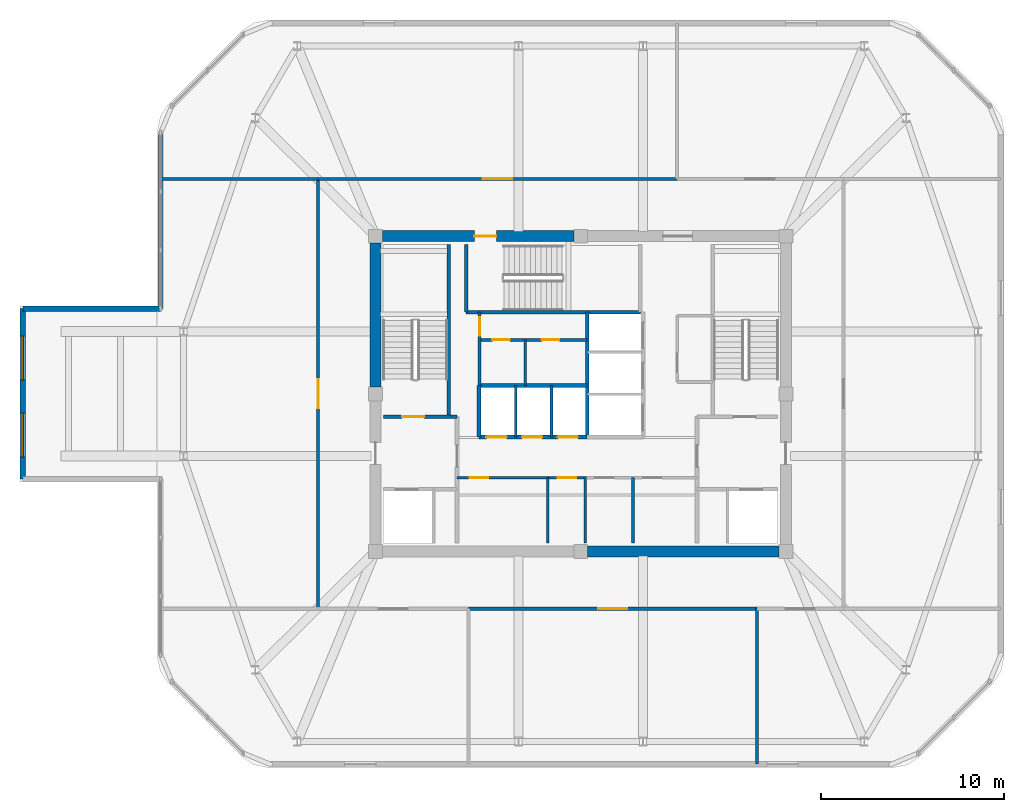
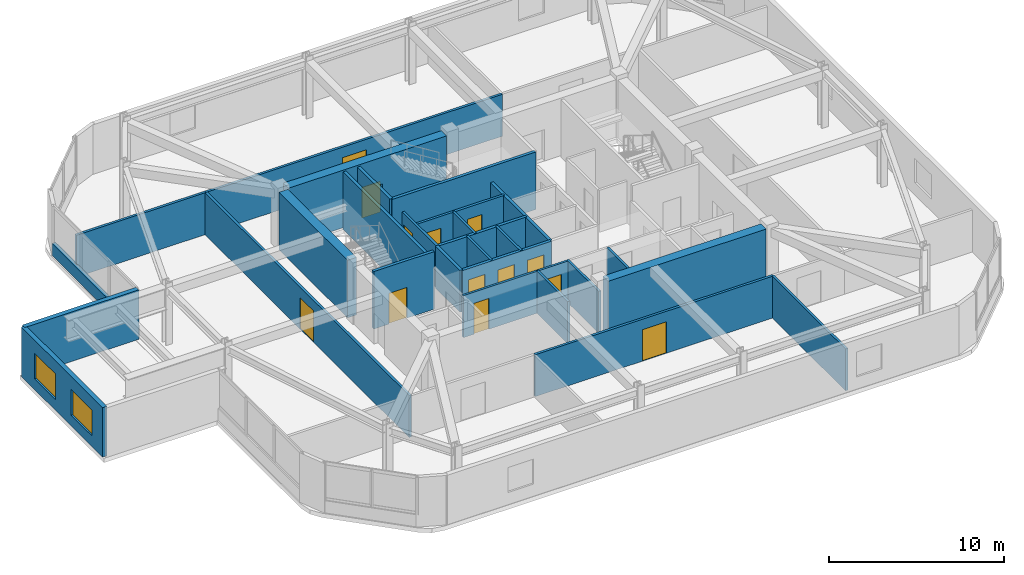
# One storey, part 6 of 9: 28 walls, 13 doors, 2 windows, 15 openings.
"""IFC4 building model written with IfcOpenShell, lengths in metres."""

from ifc_helpers import new_model, si_unit, derived_unit, direction, frame, frame_2d, origin, place, context, subcontext, project, spatial, rectangle, extrude, material, layer, layer_set, type_object, element, fill, save


model = new_model("IFC4")

# Units and contexts
model_context = context("Model", 3, precision=1e-05, world=origin(), true_north=direction((0.0, 1.0)))
body_context = subcontext(model_context, "Body", "Model", "MODEL_VIEW")
ifc_project = project(units=[si_unit("LENGTHUNIT", "METRE"), si_unit("AREAUNIT", "SQUARE_METRE"), si_unit("VOLUMEUNIT", "CUBIC_METRE"), si_unit("PLANEANGLEUNIT", "RADIAN"), si_unit("MASSUNIT", "GRAM", prefix="KILO"), derived_unit("THERMALTRANSMITTANCEUNIT", [(si_unit("POWERUNIT", "WATT"), 1), (si_unit("LENGTHUNIT", "METRE"), -2), (si_unit("THERMODYNAMICTEMPERATUREUNIT", "KELVIN"), -1)])], contexts=[model_context])

# Site, building, storey
site_placement = place(None, origin())
site = spatial("IfcSite", under=ifc_project, at=site_placement, CompositionType="ELEMENT")
building_placement = place(site_placement, origin())
building = spatial("IfcBuilding", under=site, at=building_placement, Name="Koralith Skygarden Medical Center", CompositionType="ELEMENT")
storey_placement = place(building_placement, frame((0.0, 0.0, 290.340087890625)))
storey = spatial("IfcBuildingStorey", under=building, at=storey_placement, Name="L75", CompositionType="ELEMENT", Elevation=290.340087890625)

# Wall, openings, doors
ifc_material_1 = material(Name="Gypsum Board Partition")
ifc_layer_1 = layer(ifc_material_1, 0.14990234375)
ifc_layer_set_1 = layer_set([ifc_layer_1], Name="Gypsum Board Partition")
wall_type_1 = type_object("IfcWallType", Name="Clinical Acoustic Partition 150", PredefinedType="PARTITIONING", material=ifc_layer_set_1)
wall_1_placement = place(storey_placement, frame((30.25, 21.320068359375, 0.0), z_axis=(0.0, 0.0, 1.0), x_axis=(1.0, 0.0, 0.0)))
wall_1 = element("IfcWall", 1, at=wall_1_placement, inside=storey, type_object=wall_type_1, Name="L75 Clinical Acoustic Partition 150 W-CORE-L75-FREED-LR-N", PredefinedType="PARTITIONING", context=body_context, shape_type="SweptSolid", body=[
    extrude(rectangle(XDim=7.0, YDim=0.14990234375, at=frame_2d((3.5, 0.0))), origin(), (0.0, 0.0, 1.0), 2.929931640625),
])
opening_1_placement = place(wall_1_placement, frame((0.699951171875, 0.0, 0.0)))
opening_1 = element("IfcOpeningElement", 2, at=opening_1_placement, cuts=wall_1, Name="Opening D-SUP", PredefinedType="OPENING", context=body_context, shape_type="SweptSolid", body=[
    extrude(rectangle(XDim=1.0, YDim=2.14990234375, at=frame_2d((0.5, 1.074951171875))), frame((0.0, 0.0849609375, 0.0), z_axis=(0.0, -1.0, 0.0), x_axis=(1.0, 0.0, 0.0)), (0.0, 0.0, 1.0), 0.169921875),
])
opening_2_placement = place(wall_1_placement, frame((5.5, 0.0, 0.0)))
opening_2 = element("IfcOpeningElement", 3, at=opening_2_placement, cuts=wall_1, Name="Opening D-SUP", PredefinedType="OPENING", context=body_context, shape_type="SweptSolid", body=[
    extrude(rectangle(XDim=1.0, YDim=2.14990234375, at=frame_2d((0.5, 1.074951171875))), frame((0.0, 0.0849609375, 0.0), z_axis=(0.0, -1.0, 0.0), x_axis=(1.0, 0.0, 0.0)), (0.0, 0.0, 1.0), 0.169921875),
])
ifc_material_2 = material(Name="Aluminium 6063-T6", Category="aluminium")
door_type_1 = type_object("IfcDoorType", Name="Clinical Support Door D-SUP 1000", OperationType="NOTDEFINED", PredefinedType="DOOR", material=ifc_material_2)
door_1_placement = place(opening_1_placement, frame((1.0, 0.0, 0.0), z_axis=(0.0, 0.0, 1.0), x_axis=(-1.0, 0.0, 0.0)))
door_1 = element("IfcDoor", 4, at=door_1_placement, inside=storey, type_object=door_type_1, Name="L75 Medication Preparation Door", OperationType="SINGLE_SWING_LEFT", OverallHeight=2.14990234375, OverallWidth=1.0, PredefinedType="DOOR", context=body_context, shape_type="SweptSolid", body=[
    extrude(rectangle(XDim=1.0, YDim=2.14990234375, at=frame_2d((0.5, 1.074951171875))), frame((0.0, 0.02490234375, 0.0), z_axis=(0.0, -1.0, 0.0), x_axis=(1.0, 0.0, 0.0)), (0.0, 0.0, 1.0), 0.050048828125),
])
fill(opening_1, door_1)
door_2_placement = place(opening_2_placement, frame((1.0, 0.0, 0.0), z_axis=(0.0, 0.0, 1.0), x_axis=(-1.0, 0.0, 0.0)))
door_2 = element("IfcDoor", 5, at=door_2_placement, inside=storey, type_object=door_type_1, Name="L75 Telemetry Room Door", OperationType="SINGLE_SWING_RIGHT", OverallHeight=2.14990234375, OverallWidth=1.0, PredefinedType="DOOR", context=body_context, shape_type="SweptSolid", body=[
    extrude(rectangle(XDim=1.0, YDim=2.14990234375, at=frame_2d((0.5, 1.074951171875))), frame((0.0, 0.02490234375, 0.0), z_axis=(0.0, -1.0, 0.0), x_axis=(1.0, 0.0, 0.0)), (0.0, 0.0, 1.0), 0.050048828125),
])
fill(opening_2, door_2)

# Walls
for number, where, z_axis, x_axis, name in (
    (6, (35.199951171875, 17.75, 0.0), (0.0, 0.0, 1.0), (0.0, 1.0, 0.0), "L75 Clinical Acoustic Partition 150 W-CORE-L75-FREED-LR-M"),
    (7, (39.85009765625, 17.75, 0.0), (0.0, 0.0, 1.0), (0.0, 1.0, 0.0), "L75 Clinical Acoustic Partition 150 W-CORE-L75-FREED-MR-M"),
):
    element("IfcWall", number, at=place(storey_placement, frame(where, z_axis=z_axis, x_axis=x_axis)), inside=storey, type_object=wall_type_1, Name=name, PredefinedType="PARTITIONING", context=body_context, shape_type="SweptSolid", body=[
        extrude(rectangle(XDim=3.570068359375, YDim=0.14990234375, at=frame_2d((1.78515625, 0.0))), origin(), (0.0, 0.0, 1.0), 2.929931640625),
    ])
wall_2_placement = place(storey_placement, frame((33.97998046875, 26.320068359375, 0.0), z_axis=(0.0, 0.0, 1.0), x_axis=(0.0, 1.0, 0.0)))
element("IfcWall", 8, at=wall_2_placement, inside=storey, type_object=wall_type_1, Name="L75 Clinical Acoustic Partition 150 W-CORE-L75-FLEX-V3A", PredefinedType="PARTITIONING", context=body_context, shape_type="SweptSolid", body=[
    extrude(rectangle(XDim=2.52001953125, YDim=0.14990234375, at=frame_2d((1.260009765625, 0.0))), origin(), (0.0, 0.0, 1.0), 2.929931640625),
])
wall_3_placement = place(storey_placement, frame((46.626953125, 14.169921875, 0.0), z_axis=(0.0, 0.0, 1.0), x_axis=(0.0, -1.0, 0.0)))
element("IfcWall", 9, at=wall_3_placement, inside=storey, type_object=wall_type_1, Name="L75 Clinical Acoustic Partition 150 W-CRPART-L75-S-2", PredefinedType="PARTITIONING", context=body_context, shape_type="SweptSolid", body=[
    extrude(rectangle(XDim=8.469970703125, YDim=0.14990234375, at=frame_2d((4.23486328125, 0.0))), origin(), (0.0, 0.0, 1.0), 2.929931640625),
])
ifc_layer_2 = layer(ifc_material_1, 0.1650390625)
ifc_layer_set_2 = layer_set([ifc_layer_2], Name="Gypsum Board Partition")
wall_type_2 = type_object("IfcWallType", Name="Clinical Corridor Partition 165", PredefinedType="PARTITIONING", material=ifc_layer_set_2)
wall_4_placement = place(storey_placement, frame((14.10009765625, 37.6298828125, 0.0), z_axis=(0.0, 0.0, 1.0), x_axis=(1.0, 0.0, 0.0)))
element("IfcWall", 10, at=wall_4_placement, inside=storey, type_object=wall_type_2, Name="L75 Clinical Corridor Partition 165 W-WB-L75-NW", PredefinedType="PARTITIONING", context=body_context, shape_type="SweptSolid", body=[
    extrude(rectangle(XDim=8.56982421875, YDim=0.1650390625, at=frame_2d((4.284912109375, 0.0))), origin(), (0.0, 0.0, 1.0), 2.929931640625),
])

# Wall, opening, door
wall_5_placement = place(storey_placement, frame((22.669921875, 37.6298828125, 0.0), z_axis=(0.0, 0.0, 1.0), x_axis=(1.0, 0.0, 0.0)))
wall_5 = element("IfcWall", 11, at=wall_5_placement, inside=storey, type_object=wall_type_2, Name="L75 Clinical Corridor Partition 165 W-CRCOR-L75-N-1", PredefinedType="PARTITIONING", context=body_context, shape_type="SweptSolid", body=[
    extrude(rectangle(XDim=19.5810546875, YDim=0.1650390625, at=frame_2d((9.79052734375, 0.0))), origin(), (0.0, 0.0, 1.0), 2.929931640625),
])
opening_3_placement = place(wall_5_placement, frame((8.989990234375, 0.0, 0.0)))
opening_3 = element("IfcOpeningElement", 12, at=opening_3_placement, cuts=wall_5, Name="Opening D-DBL", PredefinedType="OPENING", context=body_context, shape_type="SweptSolid", body=[
    extrude(rectangle(XDim=1.60009765625, YDim=2.199951171875, at=frame_2d((0.800048828125, 1.10009765625))), frame((0.0, 0.092529296875, 0.0), z_axis=(0.0, -1.0, 0.0), x_axis=(1.0, 0.0, 0.0)), (0.0, 0.0, 1.0), 0.18505859375),
])
door_type_2 = type_object("IfcDoorType", Name="Double Clinical Suite Door D-DBL 1600", OperationType="NOTDEFINED", PredefinedType="DOOR", material=ifc_material_2)
door_3_placement = place(opening_3_placement, origin())
door_3 = element("IfcDoor", 13, at=door_3_placement, inside=storey, type_object=door_type_2, Name="L75 Sky Dining Conservatory Restaurant Door", OperationType="DOUBLE_DOOR_SINGLE_SWING", OverallHeight=2.199951171875, OverallWidth=1.60009765625, PredefinedType="DOOR", context=body_context, shape_type="SweptSolid", body=[
    extrude(rectangle(XDim=1.60009765625, YDim=2.199951171875, at=frame_2d((0.800048828125, 1.10009765625))), frame((0.0, 0.02490234375, 0.0), z_axis=(0.0, -1.0, 0.0), x_axis=(1.0, 0.0, 0.0)), (0.0, 0.0, 1.0), 0.050048828125),
])
fill(opening_3, door_3)

wall_6_placement = place(storey_placement, frame((30.8740234375, 14.169921875, 0.0), z_axis=(0.0, 0.0, 1.0), x_axis=(1.0, 0.0, 0.0)))
wall_6 = element("IfcWall", 14, at=wall_6_placement, inside=storey, type_object=wall_type_2, Name="L75 Clinical Corridor Partition 165 W-CRCOR-L75-S-2", PredefinedType="PARTITIONING", context=body_context, shape_type="SweptSolid", body=[
    extrude(rectangle(XDim=15.7529296875, YDim=0.1650390625, at=frame_2d((7.87646484375, 0.0))), origin(), (0.0, 0.0, 1.0), 2.929931640625),
])
opening_4_placement = place(wall_6_placement, frame((7.076904296875, 0.0, 0.0)))
opening_4 = element("IfcOpeningElement", 15, at=opening_4_placement, cuts=wall_6, Name="Opening D-DBL", PredefinedType="OPENING", context=body_context, shape_type="SweptSolid", body=[
    extrude(rectangle(XDim=1.60009765625, YDim=2.199951171875, at=frame_2d((0.800048828125, 1.10009765625))), frame((0.0, 0.092529296875, 0.0), z_axis=(0.0, -1.0, 0.0), x_axis=(1.0, 0.0, 0.0)), (0.0, 0.0, 1.0), 0.18505859375),
])
door_4_placement = place(opening_4_placement, frame((1.60009765625, 0.0, 0.0), z_axis=(0.0, 0.0, 1.0), x_axis=(-1.0, 0.0, 0.0)))
door_4 = element("IfcDoor", 16, at=door_4_placement, inside=storey, type_object=door_type_2, Name="L75 Pastoral Care and Family Consultation Room Door", OperationType="DOUBLE_DOOR_SINGLE_SWING", OverallHeight=2.199951171875, OverallWidth=1.60009765625, PredefinedType="DOOR", context=body_context, shape_type="SweptSolid", body=[
    extrude(rectangle(XDim=1.60009765625, YDim=2.199951171875, at=frame_2d((0.800048828125, 1.10009765625))), frame((0.0, 0.02490234375, 0.0), z_axis=(0.0, -1.0, 0.0), x_axis=(1.0, 0.0, 0.0)), (0.0, 0.0, 1.0), 0.050048828125),
])
fill(opening_4, door_4)

wall_7_placement = place(storey_placement, frame((22.669921875, 14.169921875, 0.0), z_axis=(0.0, 0.0, 1.0), x_axis=(0.0, 1.0, 0.0)))
wall_7 = element("IfcWall", 17, at=wall_7_placement, inside=storey, type_object=wall_type_2, Name="L75 Clinical Corridor Partition 165 W-CRCOR-L75-W-1", PredefinedType="PARTITIONING", context=body_context, shape_type="SweptSolid", body=[
    extrude(rectangle(XDim=23.4599609375, YDim=0.1650390625, at=frame_2d((11.72998046875, 0.0))), origin(), (0.0, 0.0, 1.0), 2.929931640625),
])
opening_5_placement = place(wall_7_placement, frame((10.929931640625, 0.0, 0.0)))
opening_5 = element("IfcOpeningElement", 18, at=opening_5_placement, cuts=wall_7, Name="Opening D-DBL", PredefinedType="OPENING", context=body_context, shape_type="SweptSolid", body=[
    extrude(rectangle(XDim=1.60009765625, YDim=2.199951171875, at=frame_2d((0.800048828125, 1.10009765625))), frame((0.0, 0.092529296875, 0.0), z_axis=(0.0, -1.0, 0.0), x_axis=(1.0, 0.0, 0.0)), (0.0, 0.0, 1.0), 0.18505859375),
])
door_5_placement = place(opening_5_placement, frame((1.60009765625, 0.0, 0.0), z_axis=(0.0, 0.0, 1.0), x_axis=(-1.0, 0.0, 0.0)))
door_5 = element("IfcDoor", 19, at=door_5_placement, inside=storey, type_object=door_type_2, Name="L75 Cantilevered Family Recovery Horizon Lounge Door", OperationType="DOUBLE_DOOR_SINGLE_SWING", OverallHeight=2.199951171875, OverallWidth=1.60009765625, PredefinedType="DOOR", context=body_context, shape_type="SweptSolid", body=[
    extrude(rectangle(XDim=1.60009765625, YDim=2.199951171875, at=frame_2d((0.800048828125, 1.10009765625))), frame((0.0, 0.02490234375, 0.0), z_axis=(0.0, -1.0, 0.0), x_axis=(1.0, 0.0, 0.0)), (0.0, 0.0, 1.0), 0.050048828125),
])
fill(opening_5, door_5)

# Wall, openings, doors
ifc_layer_3 = layer(ifc_material_1, 0.199951171875)
ifc_layer_set_3 = layer_set([ifc_layer_3], Name="Gypsum Board Partition")
wall_type_3 = type_object("IfcWallType", Name="Fire Shaft Wall 200", PredefinedType="SOLIDWALL", material=ifc_layer_set_3)
wall_8_placement = place(storey_placement, frame((31.449951171875, 23.5400390625, 0.0), z_axis=(0.0, 0.0, 1.0), x_axis=(1.0, 0.0, 0.0)))
wall_8 = element("IfcWall", 20, at=wall_8_placement, inside=storey, type_object=wall_type_3, Name="L75 Fire Shaft Wall 200 W-CORE-L75-PH-S", PredefinedType="SOLIDWALL", context=body_context, shape_type="SweptSolid", body=[
    extrude(rectangle(XDim=5.900146484375, YDim=0.199951171875, at=frame_2d((2.9501953125, 0.0))), origin(), (0.0, 0.0, 1.0), 2.929931640625),
])
opening_6_placement = place(wall_8_placement, frame((0.39990234375, 0.0, 0.0)))
opening_6 = element("IfcOpeningElement", 21, at=opening_6_placement, cuts=wall_8, Name="Opening LD-P", PredefinedType="OPENING", context=body_context, shape_type="SweptSolid", body=[
    extrude(rectangle(XDim=1.10009765625, YDim=2.14990234375, at=frame_2d((0.550048828125, 1.074951171875))), frame((0.0, 0.10986328125, 0.0), z_axis=(0.0, -1.0, 0.0), x_axis=(1.0, 0.0, 0.0)), (0.0, 0.0, 1.0), 0.219970703125),
])
opening_7_placement = place(wall_8_placement, frame((2.35009765625, 0.0, 0.0)))
opening_7 = element("IfcOpeningElement", 22, at=opening_7_placement, cuts=wall_8, Name="Opening LD-P", PredefinedType="OPENING", context=body_context, shape_type="SweptSolid", body=[
    extrude(rectangle(XDim=1.10009765625, YDim=2.14990234375, at=frame_2d((0.550048828125, 1.074951171875))), frame((0.0, 0.10986328125, 0.0), z_axis=(0.0, -1.0, 0.0), x_axis=(1.0, 0.0, 0.0)), (0.0, 0.0, 1.0), 0.219970703125),
])
opening_8_placement = place(wall_8_placement, frame((4.300048828125, 0.0, 0.0)))
opening_8 = element("IfcOpeningElement", 23, at=opening_8_placement, cuts=wall_8, Name="Opening LD-P", PredefinedType="OPENING", context=body_context, shape_type="SweptSolid", body=[
    extrude(rectangle(XDim=1.10009765625, YDim=2.14990234375, at=frame_2d((0.550048828125, 1.074951171875))), frame((0.0, 0.10986328125, 0.0), z_axis=(0.0, -1.0, 0.0), x_axis=(1.0, 0.0, 0.0)), (0.0, 0.0, 1.0), 0.219970703125),
])
ifc_material_3 = material(Name="Steel ASTM A500 Grade C", Category="steel")
door_type_3 = type_object("IfcDoorType", Name="Passenger Lift Sliding Landing Door LD-P 1100", OperationType="NOTDEFINED", PredefinedType="DOOR", material=ifc_material_3)
door_6_placement = place(opening_6_placement, origin())
door_6 = element("IfcDoor", 24, at=door_6_placement, inside=storey, type_object=door_type_3, Name="L75 Passenger Elevator PH1 Landing Door", OperationType="SLIDING_TO_RIGHT", OverallHeight=2.14990234375, OverallWidth=1.10009765625, PredefinedType="DOOR", context=body_context, shape_type="SweptSolid", body=[
    extrude(rectangle(XDim=1.10009765625, YDim=2.14990234375, at=frame_2d((0.550048828125, 1.074951171875))), frame((0.0, 0.02490234375, 0.0), z_axis=(0.0, -1.0, 0.0), x_axis=(1.0, 0.0, 0.0)), (0.0, 0.0, 1.0), 0.050048828125),
])
fill(opening_6, door_6)
door_7_placement = place(opening_7_placement, origin())
door_7 = element("IfcDoor", 25, at=door_7_placement, inside=storey, type_object=door_type_3, Name="L75 Passenger Elevator PH2 Landing Door", OperationType="SLIDING_TO_RIGHT", OverallHeight=2.14990234375, OverallWidth=1.10009765625, PredefinedType="DOOR", context=body_context, shape_type="SweptSolid", body=[
    extrude(rectangle(XDim=1.10009765625, YDim=2.14990234375, at=frame_2d((0.550048828125, 1.074951171875))), frame((0.0, 0.02490234375, 0.0), z_axis=(0.0, -1.0, 0.0), x_axis=(1.0, 0.0, 0.0)), (0.0, 0.0, 1.0), 0.050048828125),
])
fill(opening_7, door_7)
door_8_placement = place(opening_8_placement, origin())
door_8 = element("IfcDoor", 26, at=door_8_placement, inside=storey, type_object=door_type_3, Name="L75 Passenger Elevator PH3 Landing Door", OperationType="SLIDING_TO_RIGHT", OverallHeight=2.14990234375, OverallWidth=1.10009765625, PredefinedType="DOOR", context=body_context, shape_type="SweptSolid", body=[
    extrude(rectangle(XDim=1.10009765625, YDim=2.14990234375, at=frame_2d((0.550048828125, 1.074951171875))), frame((0.0, 0.02490234375, 0.0), z_axis=(0.0, -1.0, 0.0), x_axis=(1.0, 0.0, 0.0)), (0.0, 0.0, 1.0), 0.050048828125),
])
fill(opening_8, door_8)

# Walls
wall_9_placement = place(storey_placement, frame((31.449951171875, 26.35009765625, 0.0), z_axis=(0.0, 0.0, 1.0), x_axis=(1.0, 0.0, 0.0)))
element("IfcWall", 27, at=wall_9_placement, inside=storey, type_object=wall_type_3, Name="L75 Fire Shaft Wall 200 W-CORE-L75-PH-N", PredefinedType="SOLIDWALL", context=body_context, shape_type="SweptSolid", body=[
    extrude(rectangle(XDim=5.900146484375, YDim=0.199951171875, at=frame_2d((2.9501953125, 0.0))), origin(), (0.0, 0.0, 1.0), 2.929931640625),
])
wall_10_placement = place(storey_placement, frame((31.449951171875, 23.5400390625, 0.0), z_axis=(0.0, 0.0, 1.0), x_axis=(0.0, 1.0, 0.0)))
element("IfcWall", 28, at=wall_10_placement, inside=storey, type_object=wall_type_3, Name="L75 Fire Shaft Wall 200 W-CORE-L75-PH-W", PredefinedType="SOLIDWALL", context=body_context, shape_type="SweptSolid", body=[
    extrude(rectangle(XDim=2.81005859375, YDim=0.199951171875, at=frame_2d((1.405029296875, 0.0))), origin(), (0.0, 0.0, 1.0), 2.929931640625),
])
wall_11_placement = place(storey_placement, frame((37.35009765625, 23.5400390625, 0.0), z_axis=(0.0, 0.0, 1.0), x_axis=(0.0, 1.0, 0.0)))
element("IfcWall", 29, at=wall_11_placement, inside=storey, type_object=wall_type_3, Name="L75 Fire Shaft Wall 200 W-CORE-L75-SV-W", PredefinedType="SOLIDWALL", context=body_context, shape_type="SweptSolid", body=[
    extrude(rectangle(XDim=6.820068359375, YDim=0.199951171875, at=frame_2d((3.41015625, 0.0))), origin(), (0.0, 0.0, 1.0), 2.929931640625),
])
ifc_material_4 = material(Name="Warm Oolitic Limestone Cladding", Category="masonry")
ifc_layer_4 = layer(ifc_material_4, 0.239990234375)
ifc_layer_set_4 = layer_set([ifc_layer_4], Name="Warm Oolitic Limestone Cladding")
wall_type_4 = type_object("IfcWallType", Name="Limestone Spandrel Sill Backup Wall 240", PredefinedType="SOLIDWALL", material=ifc_layer_set_4)
wall_12_placement = place(storey_placement, frame((14.080078125, 40.14501953125, 0.0), z_axis=(0.0, 0.0, 1.0), x_axis=(0.0, -1.0, 0.0)))
element("IfcWall", 30, at=wall_12_placement, inside=storey, type_object=wall_type_4, Name="L75 West Flanking Sill Spandrel N", PredefinedType="SOLIDWALL", context=body_context, shape_type="SweptSolid", body=[
    extrude(rectangle(XDim=9.594970703125, YDim=0.239990234375, at=frame_2d((4.79736328125, 0.0))), origin(), (0.0, 0.0, 1.0), 0.849853515625),
])

# Wall, openings, windows
ifc_layer_5 = layer(ifc_material_4, 0.300048828125)
ifc_layer_set_5 = layer_set([ifc_layer_5], Name="Warm Oolitic Limestone Cladding")
wall_type_5 = type_object("IfcWallType", Name="Oolitic Limestone Insulated Facade Wall 300", PredefinedType="SOLIDWALL", material=ifc_layer_set_5)
wall_13_placement = place(storey_placement, frame((6.550048828125, 21.25, 0.0), z_axis=(0.0, 0.0, 1.0), x_axis=(0.0, 1.0, 0.0)))
wall_13 = element("IfcWall", 31, at=wall_13_placement, inside=storey, type_object=wall_type_5, Name="L75 Cantilever Lounge West Horizon Wall", PredefinedType="SOLIDWALL", context=body_context, shape_type="SweptSolid", body=[
    extrude(rectangle(XDim=9.300048828125, YDim=0.300048828125, at=frame_2d((4.64990234375, 0.0))), origin(), (0.0, 0.0, 1.0), 3.4599609375),
])
opening_9_placement = place(wall_13_placement, frame((1.199951171875, 0.0, 0.75)))
opening_9 = element("IfcOpeningElement", 32, at=opening_9_placement, cuts=wall_13, Name="Opening W-08", PredefinedType="OPENING", context=body_context, shape_type="SweptSolid", body=[
    extrude(rectangle(XDim=2.39990234375, YDim=1.800048828125, at=frame_2d((1.199951171875, 0.89990234375))), frame((0.0, 0.159912109375, 0.0), z_axis=(0.0, -1.0, 0.0), x_axis=(1.0, 0.0, 0.0)), (0.0, 0.0, 1.0), 0.320068359375),
])
opening_10_placement = place(wall_13_placement, frame((5.39990234375, 0.0, 0.75)))
opening_10 = element("IfcOpeningElement", 33, at=opening_10_placement, cuts=wall_13, Name="Opening W-08", PredefinedType="OPENING", context=body_context, shape_type="SweptSolid", body=[
    extrude(rectangle(XDim=2.39990234375, YDim=1.800048828125, at=frame_2d((1.199951171875, 0.89990234375))), frame((0.0, 0.159912109375, 0.0), z_axis=(0.0, -1.0, 0.0), x_axis=(1.0, 0.0, 0.0)), (0.0, 0.0, 1.0), 0.320068359375),
])
ifc_material_5 = material(Name="Clear Laminated Glass", Category="glass")
window_type = type_object("IfcWindowType", Name="Cantilever Lounge Horizon Window W-08 2400x1800", PartitioningType="SINGLE_PANEL", PredefinedType="WINDOW", material=ifc_material_5)
window_1_placement = place(opening_9_placement, origin())
window_1 = element("IfcWindow", 34, at=window_1_placement, inside=storey, type_object=window_type, Name="L75 Cantilever Horizon Window 1", OverallHeight=1.800048828125, OverallWidth=2.39990234375, PartitioningType="SINGLE_PANEL", PredefinedType="WINDOW", context=body_context, shape_type="SweptSolid", body=[
    extrude(rectangle(XDim=2.39990234375, YDim=1.800048828125, at=frame_2d((1.199951171875, 0.89990234375))), frame((0.0, 0.030029296875, 0.0), z_axis=(0.0, -1.0, 0.0), x_axis=(1.0, 0.0, 0.0)), (0.0, 0.0, 1.0), 0.06005859375),
])
fill(opening_9, window_1)
window_2_placement = place(opening_10_placement, origin())
window_2 = element("IfcWindow", 35, at=window_2_placement, inside=storey, type_object=window_type, Name="L75 Cantilever Horizon Window 2", OverallHeight=1.800048828125, OverallWidth=2.39990234375, PartitioningType="SINGLE_PANEL", PredefinedType="WINDOW", context=body_context, shape_type="SweptSolid", body=[
    extrude(rectangle(XDim=2.39990234375, YDim=1.800048828125, at=frame_2d((1.199951171875, 0.89990234375))), frame((0.0, 0.030029296875, 0.0), z_axis=(0.0, -1.0, 0.0), x_axis=(1.0, 0.0, 0.0)), (0.0, 0.0, 1.0), 0.06005859375),
])
fill(opening_10, window_2)

# Wall
wall_14_placement = place(storey_placement, frame((6.550048828125, 30.550048828125, 0.0), z_axis=(0.0, 0.0, 1.0), x_axis=(1.0, 0.0, 0.0)))
element("IfcWall", 36, at=wall_14_placement, inside=storey, type_object=wall_type_5, Name="L75 Cantilever Lounge North Wall", PredefinedType="SOLIDWALL", context=body_context, shape_type="SweptSolid", body=[
    extrude(rectangle(XDim=7.530029296875, YDim=0.300048828125, at=frame_2d((3.76513671875, 0.0))), origin(), (0.0, 0.0, 1.0), 3.4599609375),
])

# Wall, opening, door
ifc_layer_6 = layer(ifc_material_1, 0.1650390625)
ifc_layer_set_6 = layer_set([ifc_layer_6], Name="Gypsum Board Partition")
wall_type_6 = type_object("IfcWallType", Name="Plumbing Wet Wall 165", PredefinedType="PLUMBINGWALL", material=ifc_layer_set_6)
wall_15_placement = place(storey_placement, frame((31.47998046875, 26.320068359375, 0.0), z_axis=(0.0, 0.0, 1.0), x_axis=(0.0, 1.0, 0.0)))
wall_15 = element("IfcWall", 37, at=wall_15_placement, inside=storey, type_object=wall_type_6, Name="L75 Plumbing Wet Wall 165 W-CORE-L75-FLEX-W", PredefinedType="PLUMBINGWALL", context=body_context, shape_type="SweptSolid", body=[
    extrude(rectangle(XDim=4.0400390625, YDim=0.1650390625, at=frame_2d((2.02001953125, 0.0))), origin(), (0.0, 0.0, 1.0), 2.929931640625),
])
opening_11_placement = place(wall_15_placement, frame((2.75, 0.0, 0.0)))
opening_11 = element("IfcOpeningElement", 38, at=opening_11_placement, cuts=wall_15, Name="Opening D-SUP", PredefinedType="OPENING", context=body_context, shape_type="SweptSolid", body=[
    extrude(rectangle(XDim=1.0, YDim=2.14990234375, at=frame_2d((0.5, 1.074951171875))), frame((0.0, 0.092529296875, 0.0), z_axis=(0.0, -1.0, 0.0), x_axis=(1.0, 0.0, 0.0)), (0.0, 0.0, 1.0), 0.18505859375),
])
door_9_placement = place(opening_11_placement, frame((1.0, 0.0, 0.0), z_axis=(0.0, 0.0, 1.0), x_axis=(-1.0, 0.0, 0.0)))
door_9 = element("IfcDoor", 39, at=door_9_placement, inside=storey, type_object=door_type_1, Name="L75 Core Utility Alcove Door", OperationType="SINGLE_SWING_RIGHT", OverallHeight=2.14990234375, OverallWidth=1.0, PredefinedType="DOOR", context=body_context, shape_type="SweptSolid", body=[
    extrude(rectangle(XDim=1.0, YDim=2.14990234375, at=frame_2d((0.5, 1.074951171875))), frame((0.0, 0.02490234375, 0.0), z_axis=(0.0, -1.0, 0.0), x_axis=(1.0, 0.0, 0.0)), (0.0, 0.0, 1.0), 0.050048828125),
])
fill(opening_11, door_9)

# Wall, openings, doors
wall_16_placement = place(storey_placement, frame((31.47998046875, 28.840087890625, 0.0), z_axis=(0.0, 0.0, 1.0), x_axis=(1.0, 0.0, 0.0)))
wall_16 = element("IfcWall", 40, at=wall_16_placement, inside=storey, type_object=wall_type_6, Name="L75 Plumbing Wet Wall 165 W-CORE-L75-FLEX-H3", PredefinedType="PLUMBINGWALL", context=body_context, shape_type="SweptSolid", body=[
    extrude(rectangle(XDim=5.8701171875, YDim=0.1650390625, at=frame_2d((2.93505859375, 0.0))), origin(), (0.0, 0.0, 1.0), 2.929931640625),
])
opening_12_placement = place(wall_16_placement, frame((0.699951171875, 0.0, 0.0)))
opening_12 = element("IfcOpeningElement", 41, at=opening_12_placement, cuts=wall_16, Name="Opening D-WC", PredefinedType="OPENING", context=body_context, shape_type="SweptSolid", body=[
    extrude(rectangle(XDim=0.949951171875, YDim=2.10009765625, at=frame_2d((0.47509765625, 1.050048828125))), frame((0.0, 0.092529296875, 0.0), z_axis=(0.0, -1.0, 0.0), x_axis=(1.0, 0.0, 0.0)), (0.0, 0.0, 1.0), 0.18505859375),
])
opening_13_placement = place(wall_16_placement, frame((3.39990234375, 0.0, 0.0)))
opening_13 = element("IfcOpeningElement", 42, at=opening_13_placement, cuts=wall_16, Name="Opening D-WC", PredefinedType="OPENING", context=body_context, shape_type="SweptSolid", body=[
    extrude(rectangle(XDim=0.949951171875, YDim=2.10009765625, at=frame_2d((0.47509765625, 1.050048828125))), frame((0.0, 0.092529296875, 0.0), z_axis=(0.0, -1.0, 0.0), x_axis=(1.0, 0.0, 0.0)), (0.0, 0.0, 1.0), 0.18505859375),
])
door_type_4 = type_object("IfcDoorType", Name="Accessible Toilet Door D-WC 950", OperationType="NOTDEFINED", PredefinedType="DOOR", material=ifc_material_2)
door_10_placement = place(opening_12_placement, frame((0.949951171875, 0.0, 0.0), z_axis=(0.0, 0.0, 1.0), x_axis=(-1.0, 0.0, 0.0)))
door_10 = element("IfcDoor", 43, at=door_10_placement, inside=storey, type_object=door_type_4, Name="L75 Core Accessible WC Door", OperationType="SINGLE_SWING_LEFT", OverallHeight=2.10009765625, OverallWidth=0.949951171875, PredefinedType="DOOR", context=body_context, shape_type="SweptSolid", body=[
    extrude(rectangle(XDim=0.949951171875, YDim=2.10009765625, at=frame_2d((0.47509765625, 1.050048828125))), frame((0.0, 0.02490234375, 0.0), z_axis=(0.0, -1.0, 0.0), x_axis=(1.0, 0.0, 0.0)), (0.0, 0.0, 1.0), 0.050048828125),
])
fill(opening_12, door_10)
door_11_placement = place(opening_13_placement, frame((0.949951171875, 0.0, 0.0), z_axis=(0.0, 0.0, 1.0), x_axis=(-1.0, 0.0, 0.0)))
door_11 = element("IfcDoor", 44, at=door_11_placement, inside=storey, type_object=door_type_4, Name="L75 Housekeeping Store Door", OperationType="SINGLE_SWING_RIGHT", OverallHeight=2.10009765625, OverallWidth=0.949951171875, PredefinedType="DOOR", context=body_context, shape_type="SweptSolid", body=[
    extrude(rectangle(XDim=0.949951171875, YDim=2.10009765625, at=frame_2d((0.47509765625, 1.050048828125))), frame((0.0, 0.02490234375, 0.0), z_axis=(0.0, -1.0, 0.0), x_axis=(1.0, 0.0, 0.0)), (0.0, 0.0, 1.0), 0.050048828125),
])
fill(opening_13, door_11)

# Walls
ifc_layer_7 = layer(ifc_material_1, 0.14990234375)
ifc_layer_set_7 = layer_set([ifc_layer_7], Name="Gypsum Board Partition")
wall_type_7 = type_object("IfcWallType", Name="Shaft Partition Wall 150", PredefinedType="PARTITIONING", material=ifc_layer_set_7)
wall_17_placement = place(storey_placement, frame((37.25, 17.75, 0.0), z_axis=(0.0, 0.0, 1.0), x_axis=(0.0, 1.0, 0.0)))
element("IfcWall", 45, at=wall_17_placement, inside=storey, type_object=wall_type_7, Name="L75 Shaft Partition Wall 150 W-CORE-L75-PL-PM-SEP", PredefinedType="PARTITIONING", context=body_context, shape_type="SweptSolid", body=[
    extrude(rectangle(XDim=3.64990234375, YDim=0.14990234375, at=frame_2d((1.824951171875, 0.0))), origin(), (0.0, 0.0, 1.0), 2.929931640625),
])
for number, where, z_axis, x_axis, name in (
    (46, (33.449951171875, 23.5400390625, 0.0), (0.0, 0.0, 1.0), (0.0, 1.0, 0.0), "L75 Shaft Partition Wall 150 W-CORE-L75-PH-D1"),
    (47, (35.39990234375, 23.5400390625, 0.0), (0.0, 0.0, 1.0), (0.0, 1.0, 0.0), "L75 Shaft Partition Wall 150 W-CORE-L75-PH-D2"),
):
    element("IfcWall", number, at=place(storey_placement, frame(where, z_axis=z_axis, x_axis=x_axis)), inside=storey, type_object=wall_type_7, Name=name, PredefinedType="PARTITIONING", context=body_context, shape_type="SweptSolid", body=[
        extrude(rectangle(XDim=2.81005859375, YDim=0.14990234375, at=frame_2d((1.405029296875, 0.0))), origin(), (0.0, 0.0, 1.0), 2.929931640625),
    ])
ifc_material_6 = material(Name="Concrete C45/55", Category="concrete")
ifc_layer_8 = layer(ifc_material_6, 0.199951171875)
ifc_layer_set_8 = layer_set([ifc_layer_8], Name="Concrete C45/55")
wall_type_8 = type_object("IfcWallType", Name="Structural Stair Shaft Wall 200", PredefinedType="SHEAR", material=ifc_layer_set_8)
wall_18_placement = place(storey_placement, frame((29.800048828125, 24.64990234375, 0.0), z_axis=(0.0, 0.0, 1.0), x_axis=(0.0, 1.0, 0.0)))
element("IfcWall", 48, at=wall_18_placement, inside=storey, type_object=wall_type_8, Name="L75 Structural Stair Shaft Wall 200 W-CORE-L75-ST1-E", PredefinedType="SHEAR", context=body_context, shape_type="SweptSolid", body=[
    extrude(rectangle(XDim=9.400146484375, YDim=0.199951171875, at=frame_2d((4.7001953125, 0.0))), origin(), (0.0, 0.0, 1.0), 4.02001953125),
])

# Wall, opening, door
wall_19_placement = place(storey_placement, frame((26.25, 24.64990234375, 0.0), z_axis=(0.0, 0.0, 1.0), x_axis=(1.0, 0.0, 0.0)))
wall_19 = element("IfcWall", 49, at=wall_19_placement, inside=storey, type_object=wall_type_8, Name="L75 Structural Stair Shaft Wall 200 W-CORE-L75-ST1-S", PredefinedType="SHEAR", context=body_context, shape_type="SweptSolid", body=[
    extrude(rectangle(XDim=4.0, YDim=0.199951171875, at=frame_2d((2.0, 0.0))), origin(), (0.0, 0.0, 1.0), 4.02001953125),
])
opening_14_placement = place(wall_19_placement, frame((1.0, 0.0, 0.0)))
opening_14 = element("IfcOpeningElement", 50, at=opening_14_placement, cuts=wall_19, Name="Opening D-ST60", PredefinedType="OPENING", context=body_context, shape_type="SweptSolid", body=[
    extrude(rectangle(XDim=1.199951171875, YDim=2.14990234375, at=frame_2d((0.60009765625, 1.074951171875))), frame((0.0, 0.10986328125, 0.0), z_axis=(0.0, -1.0, 0.0), x_axis=(1.0, 0.0, 0.0)), (0.0, 0.0, 1.0), 0.219970703125),
])
door_type_5 = type_object("IfcDoorType", Name="Smokeproof Stair Fire Door FD60S 1200", OperationType="NOTDEFINED", PredefinedType="DOOR", material=ifc_material_3)
door_12_placement = place(opening_14_placement, origin())
door_12 = element("IfcDoor", 51, at=door_12_placement, inside=storey, type_object=door_type_5, Name="L75 Exit Stair ST1 Fire Door", OperationType="SINGLE_SWING_LEFT", OverallHeight=2.14990234375, OverallWidth=1.199951171875, PredefinedType="DOOR", context=body_context, shape_type="SweptSolid", body=[
    extrude(rectangle(XDim=1.199951171875, YDim=2.14990234375, at=frame_2d((0.60009765625, 1.074951171875))), frame((0.0, 0.02490234375, 0.0), z_axis=(0.0, -1.0, 0.0), x_axis=(1.0, 0.0, 0.0)), (0.0, 0.0, 1.0), 0.050048828125),
])
fill(opening_14, door_12)

# Walls
wall_20_placement = place(storey_placement, frame((30.75, 30.360107421875, 0.0), z_axis=(0.0, 0.0, 1.0), x_axis=(1.0, 0.0, 0.0)))
element("IfcWall", 52, at=wall_20_placement, inside=storey, type_object=wall_type_8, Name="L75 Structural Stair Shaft Wall 200 W-CORE-L75-ST3-S", PredefinedType="SHEAR", context=body_context, shape_type="SweptSolid", body=[
    extrude(rectangle(XDim=9.5, YDim=0.199951171875, at=frame_2d((4.75, 0.0))), origin(), (0.0, 0.0, 1.0), 4.02001953125),
])
wall_21_placement = place(storey_placement, frame((30.75, 30.360107421875, 0.0), z_axis=(0.0, 0.0, 1.0), x_axis=(0.0, 1.0, 0.0)))
element("IfcWall", 53, at=wall_21_placement, inside=storey, type_object=wall_type_8, Name="L75 Structural Stair Shaft Wall 200 W-CORE-L75-ST3-W", PredefinedType="SHEAR", context=body_context, shape_type="SweptSolid", body=[
    extrude(rectangle(XDim=3.68994140625, YDim=0.199951171875, at=frame_2d((1.844970703125, 0.0))), origin(), (0.0, 0.0, 1.0), 4.02001953125),
])
ifc_material_7 = material(Name="Concrete C55/67", Category="concrete")
ifc_layer_9 = layer(ifc_material_7, 0.60009765625)
ifc_layer_set_9 = layer_set([ifc_layer_9], Name="Concrete C55/67")
wall_type_9 = type_object("IfcWallType", Name="Upper Core Shear Wall 600", PredefinedType="SHEAR", material=ifc_layer_set_9)
wall_22_placement = place(storey_placement, frame((37.375, 17.300048828125, 0.0), z_axis=(0.0, 0.0, 1.0), x_axis=(1.0, 0.0, 0.0)))
element("IfcWall", 54, at=wall_22_placement, inside=storey, type_object=wall_type_9, Name="L75 Core Shear Wall Segment 2", PredefinedType="SHEAR", context=body_context, shape_type="SweptSolid", body=[
    extrude(rectangle(XDim=10.449951171875, YDim=0.60009765625, at=frame_2d((5.22509765625, 0.0))), origin(), (0.0, 0.0, 1.0), 4.02001953125),
])

# Wall, opening, door
wall_23_placement = place(storey_placement, frame((36.625, 34.5, 0.0), z_axis=(0.0, 0.0, 1.0), x_axis=(-1.0, 0.0, 0.0)))
wall_23 = element("IfcWall", 55, at=wall_23_placement, inside=storey, type_object=wall_type_9, Name="L75 Core Shear Wall Segment 6", PredefinedType="SHEAR", context=body_context, shape_type="SweptSolid", body=[
    extrude(rectangle(XDim=10.449951171875, YDim=0.60009765625, at=frame_2d((5.22509765625, 0.0))), origin(), (0.0, 0.0, 1.0), 4.02001953125),
])
opening_15_placement = place(wall_23_placement, frame((4.22509765625, 0.0, 0.0)))
opening_15 = element("IfcOpeningElement", 56, at=opening_15_placement, cuts=wall_23, Name="Opening D-ST60", PredefinedType="OPENING", context=body_context, shape_type="SweptSolid", body=[
    extrude(rectangle(XDim=1.199951171875, YDim=2.14990234375, at=frame_2d((0.60009765625, 1.074951171875))), frame((0.0, 0.31005859375, 0.0), z_axis=(0.0, -1.0, 0.0), x_axis=(1.0, 0.0, 0.0)), (0.0, 0.0, 1.0), 0.6201171875),
])
door_13_placement = place(opening_15_placement, frame((1.199951171875, 0.0, 0.0), z_axis=(0.0, 0.0, 1.0), x_axis=(-1.0, 0.0, 0.0)))
door_13 = element("IfcDoor", 57, at=door_13_placement, inside=storey, type_object=door_type_5, Name="L75 Exit Stair ST3 Fire Door", OperationType="SINGLE_SWING_LEFT", OverallHeight=2.14990234375, OverallWidth=1.199951171875, PredefinedType="DOOR", context=body_context, shape_type="SweptSolid", body=[
    extrude(rectangle(XDim=1.199951171875, YDim=2.14990234375, at=frame_2d((0.60009765625, 1.074951171875))), frame((0.0, 0.02490234375, 0.0), z_axis=(0.0, -1.0, 0.0), x_axis=(1.0, 0.0, 0.0)), (0.0, 0.0, 1.0), 0.050048828125),
])
fill(opening_15, door_13)

# Wall
wall_24_placement = place(storey_placement, frame((25.800048828125, 34.125, 0.0), z_axis=(0.0, 0.0, 1.0), x_axis=(0.0, -1.0, 0.0)))
element("IfcWall", 58, at=wall_24_placement, inside=storey, type_object=wall_type_9, Name="L75 Core Shear Wall Segment 7", PredefinedType="SHEAR", context=body_context, shape_type="SweptSolid", body=[
    extrude(rectangle(XDim=7.85009765625, YDim=0.60009765625, at=frame_2d((3.925048828125, 0.0))), origin(), (0.0, 0.0, 1.0), 4.02001953125),
])

save(model, "model.ifc")
